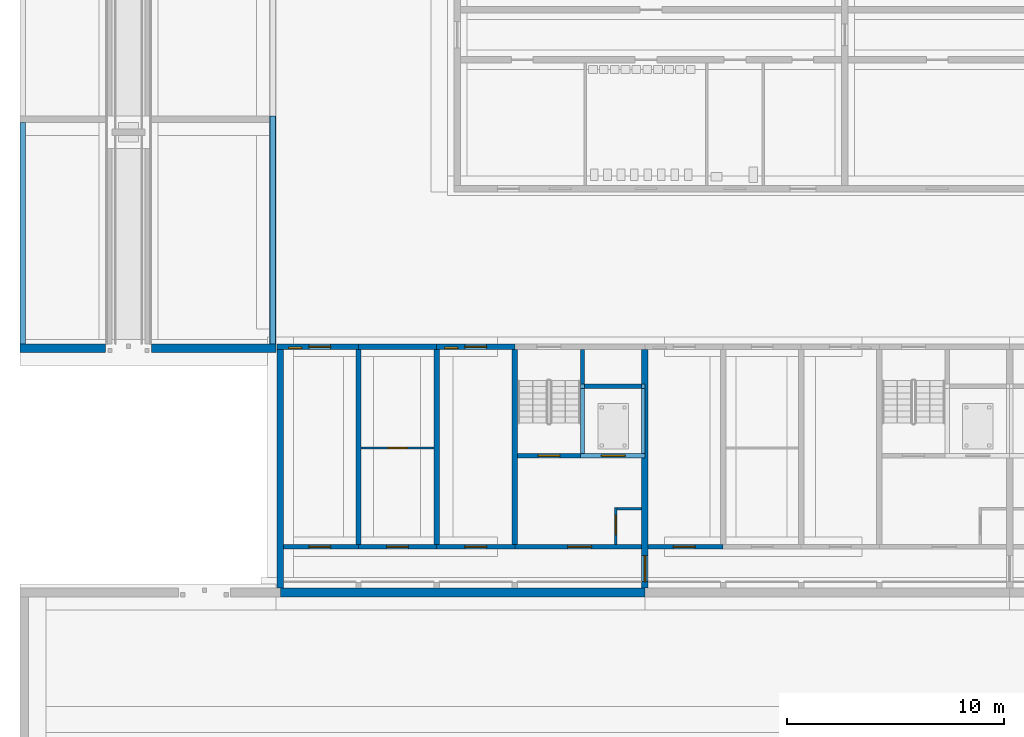
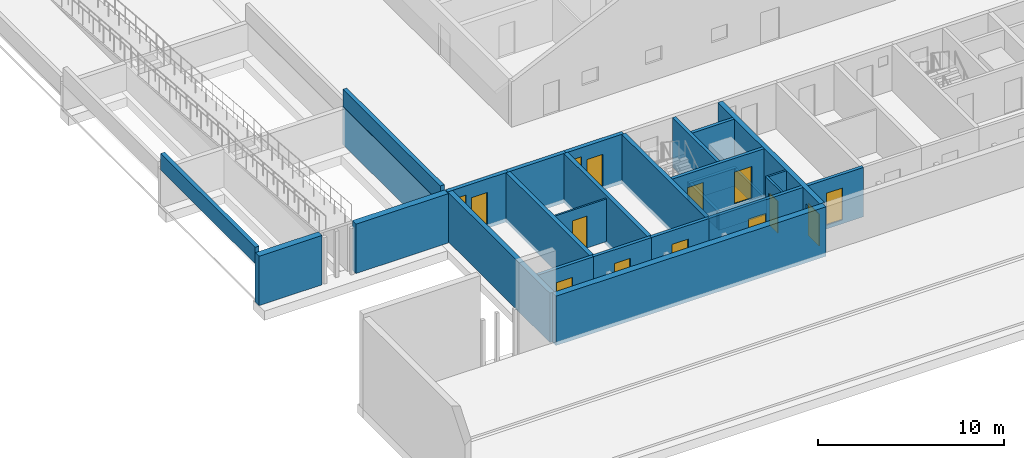
# One storey, part 37 of 112: 29 walls, 12 doors, 2 windows, 14 openings.
"""IFC4 building model written with IfcOpenShell, lengths in metres."""

from ifc_helpers import new_model, si_unit, direction, frame, frame_2d, origin, place, context, subcontext, project, spatial, rectangle, extrude, material, layer, layer_set, type_object, element, fill, save


model = new_model("IFC4")

# Units and contexts
model_context = context("Model", 3, precision=1e-05, world=origin(), true_north=direction((0.0, 1.0)))
body_context = subcontext(model_context, "Body", "Model", "MODEL_VIEW")
ifc_project = project(units=[si_unit("LENGTHUNIT", "METRE"), si_unit("AREAUNIT", "SQUARE_METRE"), si_unit("VOLUMEUNIT", "CUBIC_METRE"), si_unit("PLANEANGLEUNIT", "RADIAN"), si_unit("MASSUNIT", "GRAM", prefix="KILO")], contexts=[model_context])

# Site, building, storey
site_placement = place(None, origin())
site = spatial("IfcSite", under=ifc_project, at=site_placement, CompositionType="ELEMENT")
building_placement = place(site_placement, origin())
building = spatial("IfcBuilding", under=site, at=building_placement, Name="Ridgestep Commons", CompositionType="ELEMENT")
storey_placement = place(building_placement, origin())
storey = spatial("IfcBuildingStorey", under=building, at=storey_placement, Name="L00", CompositionType="ELEMENT", Elevation=0.0)

# Walls
ifc_material_1 = material(Name="Concrete C30/37", Category="concrete")
ifc_layer_1 = layer(ifc_material_1, 0.300048828125)
ifc_layer_set_1 = layer_set([ifc_layer_1], Name="Community retaining wall 300")
wall_type_1 = type_object("IfcWallType", Name="Community retaining wall 300", PredefinedType="SOLIDWALL", material=ifc_layer_set_1)
wall_1_placement = place(storey_placement, frame((11.64990234375, 23.0, -0.25), z_axis=(0.0, 0.0, 1.0), x_axis=(0.0, 1.0, 0.0)))
element("IfcWall", 1, at=wall_1_placement, inside=storey, type_object=wall_type_1, Name="Bank retaining wall", PredefinedType="SOLIDWALL", context=body_context, shape_type="SweptSolid", body=[
    extrude(rectangle(XDim=10.5, YDim=0.300048828125, at=frame_2d((5.25, 0.0))), origin(), (0.0, 0.0, 1.0), 2.5),
])
ifc_material_2 = material(Name="Concrete C30/37", Category="concrete")
ifc_layer_2 = layer(ifc_material_2, 0.39990234375)
ifc_layer_set_2 = layer_set([ifc_layer_2], Name="Community retaining wall 400")
wall_type_2 = type_object("IfcWallType", Name="Community retaining wall 400", PredefinedType="SOLIDWALL", material=ifc_layer_set_2)
wall_2_placement = place(storey_placement, frame((0.010009765625, 22.800048828125, -0.25), z_axis=(0.0, 0.0, 1.0), x_axis=(1.0, 0.0, 0.0)))
element("IfcWall", 2, at=wall_2_placement, inside=storey, type_object=wall_type_2, Name="Community retaining wall 400", PredefinedType="SOLIDWALL", context=body_context, shape_type="SweptSolid", body=[
    extrude(rectangle(XDim=3.93994140625, YDim=0.39990234375, at=frame_2d((1.969970703125, 0.0))), origin(), (0.0, 0.0, 1.0), 3.25),
])
wall_3_placement = place(storey_placement, frame((6.050048828125, 22.800048828125, -0.25), z_axis=(0.0, 0.0, 1.0), x_axis=(1.0, 0.0, 0.0)))
element("IfcWall", 3, at=wall_3_placement, inside=storey, type_object=wall_type_2, Name="Community retaining wall 400", PredefinedType="SOLIDWALL", context=body_context, shape_type="SweptSolid", body=[
    extrude(rectangle(XDim=5.75, YDim=0.39990234375, at=frame_2d((2.875, 0.0))), origin(), (0.0, 0.0, 1.0), 3.25),
])
ifc_material_3 = material(Name="Precast concrete C40/50", Category="concrete")
ifc_layer_3 = layer(ifc_material_3, 0.25)
ifc_layer_set_3 = layer_set([ifc_layer_3], Name="Community terrace parapet 250")
wall_type_3 = type_object("IfcWallType", Name="Community terrace parapet 250", PredefinedType="PARAPET", material=ifc_layer_set_3)
wall_4_placement = place(storey_placement, frame((11.64990234375, 23.0, 2.25), z_axis=(0.0, 0.0, 1.0), x_axis=(0.0, 1.0, 0.0)))
element("IfcWall", 4, at=wall_4_placement, inside=storey, type_object=wall_type_3, Name="Terrace parapet", PredefinedType="PARAPET", context=body_context, shape_type="SweptSolid", body=[
    extrude(rectangle(XDim=10.5, YDim=0.25, at=frame_2d((5.25, 0.0))), origin(), (0.0, 0.0, 1.0), 1.10009765625),
])
wall_5_placement = place(storey_placement, frame((0.135009765625, 23.0, 2.25), z_axis=(0.0, 0.0, 1.0), x_axis=(0.0, 1.0, 0.0)))
element("IfcWall", 5, at=wall_5_placement, inside=storey, type_object=wall_type_3, Name="Terrace parapet", PredefinedType="PARAPET", context=body_context, shape_type="SweptSolid", body=[
    extrude(rectangle(XDim=10.199951171875, YDim=0.25, at=frame_2d((5.10009765625, 0.0))), origin(), (0.0, 0.0, 1.0), 1.10009765625),
])
ifc_material_4 = material(Name="Concrete C30/37", Category="concrete")
ifc_layer_4 = layer(ifc_material_4, 0.25)
ifc_layer_set_4 = layer_set([ifc_layer_4], Name="Core cross wall 250")
wall_type_4 = type_object("IfcWallType", Name="Core cross wall 250", PredefinedType="SHEAR", material=ifc_layer_set_4)
wall_6_placement = place(storey_placement, frame((22.800048828125, 13.75, -0.25), z_axis=(0.0, 0.0, 1.0), x_axis=(0.0, 1.0, 0.0)))
element("IfcWall", 6, at=wall_6_placement, inside=storey, type_object=wall_type_4, Name="Cross wall A-00-0228", PredefinedType="SHEAR", context=body_context, shape_type="SweptSolid", body=[
    extrude(rectangle(XDim=9.0, YDim=0.25, at=frame_2d((4.5, 0.0))), origin(), (0.0, 0.0, 1.0), 3.25),
])

# Wall, opening, door
ifc_material_5 = material(Name="Concrete C30/37", Category="concrete")
ifc_layer_5 = layer(ifc_material_5, 0.199951171875)
ifc_layer_set_5 = layer_set([ifc_layer_5], Name="Core south wall 200")
wall_type_5 = type_object("IfcWallType", Name="Core south wall 200", PredefinedType="SHEAR", material=ifc_layer_set_5)
wall_7_placement = place(storey_placement, frame((22.800048828125, 13.64990234375, -0.25), z_axis=(0.0, 0.0, 1.0), x_axis=(1.0, 0.0, 0.0)))
wall_7 = element("IfcWall", 7, at=wall_7_placement, inside=storey, type_object=wall_type_5, Name="Core south wall A1C L00", PredefinedType="SHEAR", context=body_context, shape_type="SweptSolid", body=[
    extrude(rectangle(XDim=5.849853515625, YDim=0.199951171875, at=frame_2d((2.9248046875, 0.0))), origin(), (0.0, 0.0, 1.0), 3.25),
])
opening_1_placement = place(wall_7_placement, frame((2.4375, 0.0, 0.25)))
opening_1 = element("IfcOpeningElement", 8, at=opening_1_placement, cuts=wall_7, Name="Opening A1C/00/1", PredefinedType="OPENING", context=body_context, shape_type="SweptSolid", body=[
    extrude(rectangle(XDim=1.10009765625, YDim=2.10009765625, at=frame_2d((0.550048828125, 1.050048828125))), frame((0.0, 0.10986328125, 0.0), z_axis=(0.0, -1.0, 0.0), x_axis=(1.0, 0.0, 0.0)), (0.0, 0.0, 1.0), 0.219970703125),
])
ifc_material_6 = material(Name="Steel fire door", Category="steel")
door_type_1 = type_object("IfcDoorType", Name="Lobby door 1100 x 2100 FD60", OperationType="NOTDEFINED", PredefinedType="DOOR", material=ifc_material_6)
door_1_placement = place(opening_1_placement, origin())
door_1 = element("IfcDoor", 9, at=door_1_placement, inside=storey, type_object=door_type_1, Name="Lobby door A1C/00/1", OperationType="SINGLE_SWING_LEFT", OverallHeight=2.10009765625, OverallWidth=1.10009765625, PredefinedType="DOOR", context=body_context, shape_type="SweptSolid", body=[
    extrude(rectangle(XDim=1.10009765625, YDim=2.10009765625, at=frame_2d((0.550048828125, 1.050048828125))), frame((0.0, 0.02490234375, 0.0), z_axis=(0.0, -1.0, 0.0), x_axis=(1.0, 0.0, 0.0)), (0.0, 0.0, 1.0), 0.050048828125),
])
fill(opening_1, door_1)

ifc_material_7 = material(Name="Concrete C30/37", Category="concrete")
ifc_layer_6 = layer(ifc_material_7, 0.1201171875)
ifc_layer_set_6 = layer_set([ifc_layer_6], Name="Core wall 120")
wall_type_6 = type_object("IfcWallType", Name="Core wall 120", PredefinedType="SHEAR", material=ifc_layer_set_6)
wall_8_placement = place(storey_placement, frame((27.4599609375, 13.75, -0.25), z_axis=(0.0, 0.0, 1.0), x_axis=(0.0, 1.0, 0.0)))
wall_8 = element("IfcWall", 10, at=wall_8_placement, inside=storey, type_object=wall_type_6, Name="Core riser w wall A1C L00", PredefinedType="SHEAR", context=body_context, shape_type="SweptSolid", body=[
    extrude(rectangle(XDim=1.719970703125, YDim=0.1201171875, at=frame_2d((0.85986328125, 0.0))), origin(), (0.0, 0.0, 1.0), 3.25),
])
opening_2_placement = place(wall_8_placement, frame((0.449951171875, 0.0, 0.25)))
opening_2 = element("IfcOpeningElement", 11, at=opening_2_placement, cuts=wall_8, Name="Opening A1C/00/4", PredefinedType="OPENING", context=body_context, shape_type="SweptSolid", body=[
    extrude(rectangle(XDim=0.89990234375, YDim=2.10009765625, at=frame_2d((0.449951171875, 1.050048828125))), frame((0.0, 0.070068359375, 0.0), z_axis=(0.0, -1.0, 0.0), x_axis=(1.0, 0.0, 0.0)), (0.0, 0.0, 1.0), 0.14013671875),
])
ifc_material_8 = material(Name="Steel fire door", Category="steel")
door_type_2 = type_object("IfcDoorType", Name="Riser door 900 x 2100 FD60", OperationType="NOTDEFINED", PredefinedType="DOOR", material=ifc_material_8)
door_2_placement = place(opening_2_placement, origin())
door_2 = element("IfcDoor", 12, at=door_2_placement, inside=storey, type_object=door_type_2, Name="Riser door A1C/00/4", OperationType="SINGLE_SWING_LEFT", OverallHeight=2.10009765625, OverallWidth=0.89990234375, PredefinedType="DOOR", context=body_context, shape_type="SweptSolid", body=[
    extrude(rectangle(XDim=0.89990234375, YDim=2.10009765625, at=frame_2d((0.449951171875, 1.050048828125))), frame((0.0, 0.02490234375, 0.0), z_axis=(0.0, -1.0, 0.0), x_axis=(1.0, 0.0, 0.0)), (0.0, 0.0, 1.0), 0.050048828125),
])
fill(opening_2, door_2)

# Walls
wall_9_placement = place(storey_placement, frame((27.52001953125, 15.409912109375, -0.25), z_axis=(0.0, 0.0, 1.0), x_axis=(1.0, 0.0, 0.0)))
element("IfcWall", 13, at=wall_9_placement, inside=storey, type_object=wall_type_6, Name="Core riser n wall A1C L00", PredefinedType="SHEAR", context=body_context, shape_type="SweptSolid", body=[
    extrude(rectangle(XDim=1.1298828125, YDim=0.1201171875, at=frame_2d((0.56494140625, 0.0))), origin(), (0.0, 0.0, 1.0), 3.25),
])
ifc_material_9 = material(Name="Concrete C30/37", Category="concrete")
ifc_layer_7 = layer(ifc_material_9, 0.14990234375)
ifc_layer_set_7 = layer_set([ifc_layer_7], Name="Core wall 150")
wall_type_7 = type_object("IfcWallType", Name="Core wall 150", PredefinedType="SHEAR", material=ifc_layer_set_7)
wall_10_placement = place(storey_placement, frame((28.72509765625, 17.949951171875, -1.39990234375), z_axis=(0.0, 0.0, 1.0), x_axis=(0.0, 1.0, 0.0)))
element("IfcWall", 14, at=wall_10_placement, inside=storey, type_object=wall_type_7, Name="Lift pit wall A1C", PredefinedType="SHEAR", context=body_context, shape_type="SweptSolid", body=[
    extrude(rectangle(XDim=3.0, YDim=0.14990234375, at=frame_2d((1.5, 0.0))), origin(), (0.0, 0.0, 1.0), 1.14990234375),
])

# Wall, openings, doors
ifc_material_10 = material(Name="Concrete C30/37", Category="concrete")
ifc_layer_8 = layer(ifc_material_10, 0.199951171875)
ifc_layer_set_8 = layer_set([ifc_layer_8], Name="Core wall 200")
wall_type_8 = type_object("IfcWallType", Name="Core wall 200", PredefinedType="SHEAR", material=ifc_layer_set_8)
wall_11_placement = place(storey_placement, frame((22.925048828125, 17.85009765625, -0.25), z_axis=(0.0, 0.0, 1.0), x_axis=(1.0, 0.0, 0.0)))
wall_11 = element("IfcWall", 15, at=wall_11_placement, inside=storey, type_object=wall_type_8, Name="Core lobby wall A1C L00", PredefinedType="SHEAR", context=body_context, shape_type="SweptSolid", body=[
    extrude(rectangle(XDim=5.724853515625, YDim=0.199951171875, at=frame_2d((2.8623046875, 0.0))), origin(), (0.0, 0.0, 1.0), 3.25),
])
opening_3_placement = place(wall_11_placement, frame((0.949951171875, 0.0, 0.25)))
opening_3 = element("IfcOpeningElement", 16, at=opening_3_placement, cuts=wall_11, Name="Opening A1C/00/2", PredefinedType="OPENING", context=body_context, shape_type="SweptSolid", body=[
    extrude(rectangle(XDim=1.0, YDim=2.10009765625, at=frame_2d((0.5, 1.050048828125))), frame((0.0, 0.10986328125, 0.0), z_axis=(0.0, -1.0, 0.0), x_axis=(1.0, 0.0, 0.0)), (0.0, 0.0, 1.0), 0.219970703125),
])
opening_4_placement = place(wall_11_placement, frame((3.862548828125, 0.0, 0.25)))
opening_4 = element("IfcOpeningElement", 17, at=opening_4_placement, cuts=wall_11, Name="Opening A1C/00/3", PredefinedType="OPENING", context=body_context, shape_type="SweptSolid", body=[
    extrude(rectangle(XDim=1.10009765625, YDim=2.10009765625, at=frame_2d((0.550048828125, 1.050048828125))), frame((0.0, 0.10986328125, 0.0), z_axis=(0.0, -1.0, 0.0), x_axis=(1.0, 0.0, 0.0)), (0.0, 0.0, 1.0), 0.219970703125),
])
ifc_material_11 = material(Name="Stainless steel", Category="steel")
door_type_3 = type_object("IfcDoorType", Name="Lift landing door 1100 x 2100 FD60", OperationType="DOUBLE_DOOR_SLIDING", PredefinedType="DOOR", material=ifc_material_11)
door_3_placement = place(opening_4_placement, origin())
door_3 = element("IfcDoor", 18, at=door_3_placement, inside=storey, type_object=door_type_3, Name="Landing door LD A1C L00", OperationType="DOUBLE_DOOR_SLIDING", OverallHeight=2.10009765625, OverallWidth=1.10009765625, PredefinedType="DOOR", context=body_context, shape_type="SweptSolid", body=[
    extrude(rectangle(XDim=1.10009765625, YDim=2.10009765625, at=frame_2d((0.550048828125, 1.050048828125))), frame((0.0, 0.02490234375, 0.0), z_axis=(0.0, -1.0, 0.0), x_axis=(1.0, 0.0, 0.0)), (0.0, 0.0, 1.0), 0.050048828125),
])
fill(opening_4, door_3)
ifc_material_12 = material(Name="Steel fire door", Category="steel")
door_type_4 = type_object("IfcDoorType", Name="Stair door 1000 x 2100 FD60", OperationType="NOTDEFINED", PredefinedType="DOOR", material=ifc_material_12)
door_4_placement = place(opening_3_placement, origin())
door_4 = element("IfcDoor", 19, at=door_4_placement, inside=storey, type_object=door_type_4, Name="Stair door A1C/00/2", OperationType="SINGLE_SWING_RIGHT", OverallHeight=2.10009765625, OverallWidth=1.0, PredefinedType="DOOR", context=body_context, shape_type="SweptSolid", body=[
    extrude(rectangle(XDim=1.0, YDim=2.10009765625, at=frame_2d((0.5, 1.050048828125))), frame((0.0, 0.02490234375, 0.0), z_axis=(0.0, -1.0, 0.0), x_axis=(1.0, 0.0, 0.0)), (0.0, 0.0, 1.0), 0.050048828125),
])
fill(opening_3, door_4)

# Walls
wall_12_placement = place(storey_placement, frame((25.925048828125, 17.949951171875, -0.25), z_axis=(0.0, 0.0, 1.0), x_axis=(0.0, 1.0, 0.0)))
element("IfcWall", 20, at=wall_12_placement, inside=storey, type_object=wall_type_8, Name="Core stair wall A1C L00", PredefinedType="SHEAR", context=body_context, shape_type="SweptSolid", body=[
    extrude(rectangle(XDim=4.800048828125, YDim=0.199951171875, at=frame_2d((2.39990234375, 0.0))), origin(), (0.0, 0.0, 1.0), 3.25),
])
wall_13_placement = place(storey_placement, frame((26.02490234375, 21.050048828125, -0.25), z_axis=(0.0, 0.0, 1.0), x_axis=(1.0, 0.0, 0.0)))
element("IfcWall", 21, at=wall_13_placement, inside=storey, type_object=wall_type_8, Name="Core duct wall A1C L00", PredefinedType="SHEAR", context=body_context, shape_type="SweptSolid", body=[
    extrude(rectangle(XDim=2.625, YDim=0.199951171875, at=frame_2d((1.3125, 0.0))), origin(), (0.0, 0.0, 1.0), 3.25),
])
for number, where, z_axis, x_axis, name in (
    (22, (25.824951171875, 17.85009765625, -1.39990234375), (0.0, 0.0, 1.0), (1.0, 0.0, 0.0), "Lift pit wall A1C"),
    (23, (25.824951171875, 21.050048828125, -1.39990234375), (0.0, 0.0, 1.0), (1.0, 0.0, 0.0), "Lift pit wall A1C"),
):
    element("IfcWall", number, at=place(storey_placement, frame(where, z_axis=z_axis, x_axis=x_axis)), inside=storey, type_object=wall_type_8, Name=name, PredefinedType="SHEAR", context=body_context, shape_type="SweptSolid", body=[
        extrude(rectangle(XDim=2.97509765625, YDim=0.199951171875, at=frame_2d((1.487548828125, 0.0))), origin(), (0.0, 0.0, 1.0), 1.14990234375),
    ])
wall_14_placement = place(storey_placement, frame((25.925048828125, 17.949951171875, -1.39990234375), z_axis=(0.0, 0.0, 1.0), x_axis=(0.0, 1.0, 0.0)))
element("IfcWall", 24, at=wall_14_placement, inside=storey, type_object=wall_type_8, Name="Lift pit wall A1C", PredefinedType="SHEAR", context=body_context, shape_type="SweptSolid", body=[
    extrude(rectangle(XDim=3.0, YDim=0.199951171875, at=frame_2d((1.5, 0.0))), origin(), (0.0, 0.0, 1.0), 1.14990234375),
])
ifc_material_13 = material(Name="Precast concrete C40/50", Category="concrete")
ifc_layer_9 = layer(ifc_material_13, 0.25)
ifc_layer_set_9 = layer_set([ifc_layer_9], Name="Cross wall 250")
wall_type_9 = type_object("IfcWallType", Name="Cross wall 250", PredefinedType="SHEAR", material=ifc_layer_set_9)
for number, where, z_axis, x_axis, name in (
    (25, (15.60009765625, 13.75, -0.25), (0.0, 0.0, 1.0), (0.0, 1.0, 0.0), "Cross wall A-00-0156"),
    (26, (19.199951171875, 13.75, -0.25), (0.0, 0.0, 1.0), (0.0, 1.0, 0.0), "Cross wall A-00-0192"),
):
    element("IfcWall", number, at=place(storey_placement, frame(where, z_axis=z_axis, x_axis=x_axis)), inside=storey, type_object=wall_type_9, Name=name, PredefinedType="SHEAR", context=body_context, shape_type="SweptSolid", body=[
        extrude(rectangle(XDim=9.0, YDim=0.25, at=frame_2d((4.5, 0.0))), origin(), (0.0, 0.0, 1.0), 3.25),
    ])

# Wall, opening, door
ifc_material_14 = material(Name="Precast concrete C40/50", Category="concrete")
ifc_layer_10 = layer(ifc_material_14, 0.300048828125)
ifc_layer_set_10 = layer_set([ifc_layer_10], Name="Division wall 300")
wall_type_10 = type_object("IfcWallType", Name="Division wall 300", PredefinedType="SHEAR", material=ifc_layer_set_10)
wall_15_placement = place(storey_placement, frame((28.800048828125, 11.75, -0.25), z_axis=(0.0, 0.0, 1.0), x_axis=(0.0, 1.0, 0.0)))
wall_15 = element("IfcWall", 27, at=wall_15_placement, inside=storey, type_object=wall_type_10, Name="Cross wall A-00-0288", PredefinedType="SHEAR", context=body_context, shape_type="SweptSolid", body=[
    extrude(rectangle(XDim=11.0, YDim=0.300048828125, at=frame_2d((5.5, 0.0))), origin(), (0.0, 0.0, 1.0), 3.25),
])
opening_5_placement = place(wall_15_placement, frame((0.300048828125, 0.0, 0.25)))
opening_5 = element("IfcOpeningElement", 28, at=opening_5_placement, cuts=wall_15, Name="Opening A/00/G0288", PredefinedType="OPENING", context=body_context, shape_type="SweptSolid", body=[
    extrude(rectangle(XDim=1.199951171875, YDim=2.10009765625, at=frame_2d((0.60009765625, 1.050048828125))), frame((0.0, 0.159912109375, 0.0), z_axis=(0.0, -1.0, 0.0), x_axis=(1.0, 0.0, 0.0)), (0.0, 0.0, 1.0), 0.320068359375),
])
ifc_material_15 = material(Name="Steel fire door", Category="steel")
door_type_5 = type_object("IfcDoorType", Name="Division fire door 1200 x 2100 EI 240", OperationType="DOUBLE_DOOR_SINGLE_SWING", PredefinedType="DOOR", material=ifc_material_15)
door_5_placement = place(opening_5_placement, origin())
door_5 = element("IfcDoor", 29, at=door_5_placement, inside=storey, type_object=door_type_5, Name="Division fire door A/00/G0288", OperationType="DOUBLE_DOOR_SINGLE_SWING", OverallHeight=2.10009765625, OverallWidth=1.199951171875, PredefinedType="DOOR", context=body_context, shape_type="SweptSolid", body=[
    extrude(rectangle(XDim=1.199951171875, YDim=2.10009765625, at=frame_2d((0.60009765625, 1.050048828125))), frame((0.0, 0.02490234375, 0.0), z_axis=(0.0, -1.0, 0.0), x_axis=(1.0, 0.0, 0.0)), (0.0, 0.0, 1.0), 0.050048828125),
])
fill(opening_5, door_5)

# Wall
ifc_material_16 = material(Name="Precast concrete C40/50", Category="concrete")
ifc_layer_11 = layer(ifc_material_16, 0.300048828125)
ifc_layer_set_11 = layer_set([ifc_layer_11], Name="Exposed division wall 300")
wall_type_11 = type_object("IfcWallType", Name="Exposed division wall 300", PredefinedType="SHEAR", material=ifc_layer_set_11)
wall_16_placement = place(storey_placement, frame((12.0, 11.75, -0.25), z_axis=(0.0, 0.0, 1.0), x_axis=(0.0, 1.0, 0.0)))
element("IfcWall", 30, at=wall_16_placement, inside=storey, type_object=wall_type_11, Name="Cross wall A-00-0120", PredefinedType="SHEAR", context=body_context, shape_type="SweptSolid", body=[
    extrude(rectangle(XDim=11.0, YDim=0.300048828125, at=frame_2d((5.5, 0.0))), origin(), (0.0, 0.0, 1.0), 3.25),
])

# Wall, openings, door, window
ifc_material_17 = material(Name="Precast concrete C40/50", Category="concrete")
ifc_layer_12 = layer(ifc_material_17, 0.25)
ifc_layer_set_12 = layer_set([ifc_layer_12], Name="North facade panel 250")
wall_type_12 = type_object("IfcWallType", Name="North facade panel 250", PredefinedType="SOLIDWALL", material=ifc_layer_set_12)
wall_17_placement = place(storey_placement, frame((11.85009765625, 22.875, -0.25), z_axis=(0.0, 0.0, 1.0), x_axis=(1.0, 0.0, 0.0)))
wall_17 = element("IfcWall", 31, at=wall_17_placement, inside=storey, type_object=wall_type_12, Name="North panel A1T1 L00", PredefinedType="SOLIDWALL", context=body_context, shape_type="SweptSolid", body=[
    extrude(rectangle(XDim=3.75, YDim=0.25, at=frame_2d((1.875, 0.0))), origin(), (0.0, 0.0, 1.0), 3.25),
])
opening_6_placement = place(wall_17_placement, frame((0.53125, 0.0, 2.050048828125)))
opening_6 = element("IfcOpeningElement", 32, at=opening_6_placement, cuts=wall_17, Name="Opening W01", PredefinedType="OPENING", context=body_context, shape_type="SweptSolid", body=[
    extrude(rectangle(XDim=0.60009765625, YDim=0.60009765625, at=frame_2d((0.300048828125, 0.300048828125))), frame((0.0, 0.135009765625, 0.0), z_axis=(0.0, -1.0, 0.0), x_axis=(1.0, 0.0, 0.0)), (0.0, 0.0, 1.0), 0.27001953125),
])
opening_7_placement = place(wall_17_placement, frame((1.46240234375, 0.0, 0.25)))
opening_7 = element("IfcOpeningElement", 33, at=opening_7_placement, cuts=wall_17, Name="Opening A1-00p/2", PredefinedType="OPENING", context=body_context, shape_type="SweptSolid", body=[
    extrude(rectangle(XDim=1.0, YDim=2.10009765625, at=frame_2d((0.5, 1.050048828125))), frame((0.0, 0.135009765625, 0.0), z_axis=(0.0, -1.0, 0.0), x_axis=(1.0, 0.0, 0.0)), (0.0, 0.0, 1.0), 0.27001953125),
])
ifc_material_18 = material(Name="Steel door leaf", Category="steel")
door_type_6 = type_object("IfcDoorType", Name="Exterior door 1000 x 2100", OperationType="NOTDEFINED", PredefinedType="DOOR", material=ifc_material_18)
door_6_placement = place(opening_7_placement, origin())
door_6 = element("IfcDoor", 34, at=door_6_placement, inside=storey, type_object=door_type_6, Name="Exterior door A1-00p/2", OperationType="SINGLE_SWING_LEFT", OverallHeight=2.10009765625, OverallWidth=1.0, PredefinedType="DOOR", context=body_context, shape_type="SweptSolid", body=[
    extrude(rectangle(XDim=1.0, YDim=2.10009765625, at=frame_2d((0.5, 1.050048828125))), frame((0.0, 0.02490234375, 0.0), z_axis=(0.0, -1.0, 0.0), x_axis=(1.0, 0.0, 0.0)), (0.0, 0.0, 1.0), 0.050048828125),
])
fill(opening_7, door_6)
ifc_material_19 = material(Name="Aluminium 6063-T6 and glass", Category="aluminium")
window_type = type_object("IfcWindowType", Name="Flat window 600 x 600", PartitioningType="SINGLE_PANEL", PredefinedType="WINDOW", material=ifc_material_19)
window_1_placement = place(opening_6_placement, origin())
window_1 = element("IfcWindow", 35, at=window_1_placement, inside=storey, type_object=window_type, Name="Window A1-00p 2", OverallHeight=0.60009765625, OverallWidth=0.60009765625, PartitioningType="SINGLE_PANEL", PredefinedType="WINDOW", context=body_context, shape_type="SweptSolid", body=[
    extrude(rectangle(XDim=0.60009765625, YDim=0.60009765625, at=frame_2d((0.300048828125, 0.300048828125))), frame((0.0, -0.02490234375, 0.0), z_axis=(0.0, -1.0, 0.0), x_axis=(1.0, 0.0, 0.0)), (0.0, 0.0, 1.0), 0.06005859375),
])
fill(opening_6, window_1)

# Wall
wall_18_placement = place(storey_placement, frame((15.60009765625, 22.875, -0.25), z_axis=(0.0, 0.0, 1.0), x_axis=(1.0, 0.0, 0.0)))
element("IfcWall", 36, at=wall_18_placement, inside=storey, type_object=wall_type_12, Name="North panel A1T2 L00", PredefinedType="SOLIDWALL", context=body_context, shape_type="SweptSolid", body=[
    extrude(rectangle(XDim=3.599853515625, YDim=0.25, at=frame_2d((1.7998046875, 0.0))), origin(), (0.0, 0.0, 1.0), 3.25),
])

# Wall, openings, door, window
wall_19_placement = place(storey_placement, frame((19.199951171875, 22.875, -0.25), z_axis=(0.0, 0.0, 1.0), x_axis=(1.0, 0.0, 0.0)))
wall_19 = element("IfcWall", 37, at=wall_19_placement, inside=storey, type_object=wall_type_12, Name="North panel A1T3 L00", PredefinedType="SOLIDWALL", context=body_context, shape_type="SweptSolid", body=[
    extrude(rectangle(XDim=3.60009765625, YDim=0.25, at=frame_2d((1.800048828125, 0.0))), origin(), (0.0, 0.0, 1.0), 3.25),
])
opening_8_placement = place(wall_19_placement, frame((0.362548828125, 0.0, 2.050048828125)))
opening_8 = element("IfcOpeningElement", 38, at=opening_8_placement, cuts=wall_19, Name="Opening W01", PredefinedType="OPENING", context=body_context, shape_type="SweptSolid", body=[
    extrude(rectangle(XDim=0.60009765625, YDim=0.60009765625, at=frame_2d((0.300048828125, 0.300048828125))), frame((0.0, 0.135009765625, 0.0), z_axis=(0.0, -1.0, 0.0), x_axis=(1.0, 0.0, 0.0)), (0.0, 0.0, 1.0), 0.27001953125),
])
opening_9_placement = place(wall_19_placement, frame((1.300048828125, 0.0, 0.25)))
opening_9 = element("IfcOpeningElement", 39, at=opening_9_placement, cuts=wall_19, Name="Opening A1-00p/6", PredefinedType="OPENING", context=body_context, shape_type="SweptSolid", body=[
    extrude(rectangle(XDim=1.0, YDim=2.10009765625, at=frame_2d((0.5, 1.050048828125))), frame((0.0, 0.135009765625, 0.0), z_axis=(0.0, -1.0, 0.0), x_axis=(1.0, 0.0, 0.0)), (0.0, 0.0, 1.0), 0.27001953125),
])
door_7_placement = place(opening_9_placement, origin())
door_7 = element("IfcDoor", 40, at=door_7_placement, inside=storey, type_object=door_type_6, Name="Exterior door A1-00p/6", OperationType="SINGLE_SWING_LEFT", OverallHeight=2.10009765625, OverallWidth=1.0, PredefinedType="DOOR", context=body_context, shape_type="SweptSolid", body=[
    extrude(rectangle(XDim=1.0, YDim=2.10009765625, at=frame_2d((0.5, 1.050048828125))), frame((0.0, 0.02490234375, 0.0), z_axis=(0.0, -1.0, 0.0), x_axis=(1.0, 0.0, 0.0)), (0.0, 0.0, 1.0), 0.050048828125),
])
fill(opening_9, door_7)
window_2_placement = place(opening_8_placement, origin())
window_2 = element("IfcWindow", 41, at=window_2_placement, inside=storey, type_object=window_type, Name="Window A1-00p 4", OverallHeight=0.60009765625, OverallWidth=0.60009765625, PartitioningType="SINGLE_PANEL", PredefinedType="WINDOW", context=body_context, shape_type="SweptSolid", body=[
    extrude(rectangle(XDim=0.60009765625, YDim=0.60009765625, at=frame_2d((0.300048828125, 0.300048828125))), frame((0.0, -0.02490234375, 0.0), z_axis=(0.0, -1.0, 0.0), x_axis=(1.0, 0.0, 0.0)), (0.0, 0.0, 1.0), 0.06005859375),
])
fill(opening_8, window_2)

# Wall, opening, door
ifc_material_20 = material(Name="Common brick 110 mm", Category="masonry")
ifc_layer_13 = layer(ifc_material_20, 0.110107421875)
ifc_layer_set_13 = layer_set([ifc_layer_13], Name="Partition 110")
wall_type_13 = type_object("IfcWallType", Name="Partition 110", PredefinedType="PARTITIONING", material=ifc_layer_set_13)
wall_20_placement = place(storey_placement, frame((15.72509765625, 18.205078125, 0.0), z_axis=(0.0, 0.0, 1.0), x_axis=(1.0, 0.0, 0.0)))
wall_20 = element("IfcWall", 42, at=wall_20_placement, inside=storey, type_object=wall_type_13, Name="Partition A1-00p", PredefinedType="PARTITIONING", context=body_context, shape_type="SweptSolid", body=[
    extrude(rectangle(XDim=3.349853515625, YDim=0.110107421875, at=frame_2d((1.6748046875, 0.0))), origin(), (0.0, 0.0, 1.0), 2.800048828125),
])
opening_10_placement = place(wall_20_placement, frame((1.22509765625, 0.0, 0.0)))
opening_10 = element("IfcOpeningElement", 43, at=opening_10_placement, cuts=wall_20, Name="Opening A1-00p/4", PredefinedType="OPENING", context=body_context, shape_type="SweptSolid", body=[
    extrude(rectangle(XDim=0.89990234375, YDim=2.10009765625, at=frame_2d((0.449951171875, 1.050048828125))), frame((0.0, 0.06494140625, 0.0), z_axis=(0.0, -1.0, 0.0), x_axis=(1.0, 0.0, 0.0)), (0.0, 0.0, 1.0), 0.130126953125),
])
ifc_material_21 = material(Name="Timber door leaf", Category="wood")
door_type_7 = type_object("IfcDoorType", Name="Internal door 900 x 2100 FD60", OperationType="NOTDEFINED", PredefinedType="DOOR", material=ifc_material_21)
door_8_placement = place(opening_10_placement, origin())
door_8 = element("IfcDoor", 44, at=door_8_placement, inside=storey, type_object=door_type_7, Name="Internal door A1-00p/4", OperationType="SINGLE_SWING_LEFT", OverallHeight=2.10009765625, OverallWidth=0.89990234375, PredefinedType="DOOR", context=body_context, shape_type="SweptSolid", body=[
    extrude(rectangle(XDim=0.89990234375, YDim=2.10009765625, at=frame_2d((0.449951171875, 1.050048828125))), frame((0.0, 0.02490234375, 0.0), z_axis=(0.0, -1.0, 0.0), x_axis=(1.0, 0.0, 0.0)), (0.0, 0.0, 1.0), 0.050048828125),
])
fill(opening_10, door_8)

# Wall
ifc_material_22 = material(Name="Concrete C30/37", Category="concrete")
ifc_layer_14 = layer(ifc_material_22, 0.39990234375)
ifc_layer_set_14 = layer_set([ifc_layer_14], Name="Plinth retaining wall 400")
wall_type_14 = type_object("IfcWallType", Name="Plinth retaining wall 400", PredefinedType="SOLIDWALL", material=ifc_layer_set_14)
wall_21_placement = place(storey_placement, frame((12.0, 11.550048828125, -0.25), z_axis=(0.0, 0.0, 1.0), x_axis=(1.0, 0.0, 0.0)))
element("IfcWall", 45, at=wall_21_placement, inside=storey, type_object=wall_type_14, Name="Plinth retaining wall A1 L00", PredefinedType="SOLIDWALL", context=body_context, shape_type="SweptSolid", body=[
    extrude(rectangle(XDim=16.800048828125, YDim=0.39990234375, at=frame_2d((8.39990234375, 0.0))), origin(), (0.0, 0.0, 1.0), 3.25),
])

# Wall, opening, door
ifc_material_23 = material(Name="Precast concrete C40/50", Category="concrete")
ifc_layer_15 = layer(ifc_material_23, 0.199951171875)
ifc_layer_set_15 = layer_set([ifc_layer_15], Name="South facade panel 200")
wall_type_15 = type_object("IfcWallType", Name="South facade panel 200", PredefinedType="SOLIDWALL", material=ifc_layer_set_15)
wall_22_placement = place(storey_placement, frame((12.14990234375, 13.64990234375, -0.25), z_axis=(0.0, 0.0, 1.0), x_axis=(1.0, 0.0, 0.0)))
wall_22 = element("IfcWall", 46, at=wall_22_placement, inside=storey, type_object=wall_type_15, Name="South panel A1T1 L00", PredefinedType="SOLIDWALL", context=body_context, shape_type="SweptSolid", body=[
    extrude(rectangle(XDim=3.4501953125, YDim=0.199951171875, at=frame_2d((1.72509765625, 0.0))), origin(), (0.0, 0.0, 1.0), 3.25),
])
opening_11_placement = place(wall_22_placement, frame((1.16259765625, 0.0, 0.25)))
opening_11 = element("IfcOpeningElement", 47, at=opening_11_placement, cuts=wall_22, Name="Opening A1-00p/1", PredefinedType="OPENING", context=body_context, shape_type="SweptSolid", body=[
    extrude(rectangle(XDim=1.0, YDim=2.10009765625, at=frame_2d((0.5, 1.050048828125))), frame((0.0, 0.10986328125, 0.0), z_axis=(0.0, -1.0, 0.0), x_axis=(1.0, 0.0, 0.0)), (0.0, 0.0, 1.0), 0.219970703125),
])
ifc_material_24 = material(Name="Steel door leaf", Category="steel")
door_type_8 = type_object("IfcDoorType", Name="Store door 1000 x 2100", OperationType="NOTDEFINED", PredefinedType="DOOR", material=ifc_material_24)
door_9_placement = place(opening_11_placement, origin())
door_9 = element("IfcDoor", 48, at=door_9_placement, inside=storey, type_object=door_type_8, Name="Store door A1-00p/1", OperationType="SINGLE_SWING_RIGHT", OverallHeight=2.10009765625, OverallWidth=1.0, PredefinedType="DOOR", context=body_context, shape_type="SweptSolid", body=[
    extrude(rectangle(XDim=1.0, YDim=2.10009765625, at=frame_2d((0.5, 1.050048828125))), frame((0.0, 0.02490234375, 0.0), z_axis=(0.0, -1.0, 0.0), x_axis=(1.0, 0.0, 0.0)), (0.0, 0.0, 1.0), 0.050048828125),
])
fill(opening_11, door_9)

wall_23_placement = place(storey_placement, frame((15.60009765625, 13.64990234375, -0.25), z_axis=(0.0, 0.0, 1.0), x_axis=(1.0, 0.0, 0.0)))
wall_23 = element("IfcWall", 49, at=wall_23_placement, inside=storey, type_object=wall_type_15, Name="South panel A1T2 L00", PredefinedType="SOLIDWALL", context=body_context, shape_type="SweptSolid", body=[
    extrude(rectangle(XDim=3.599853515625, YDim=0.199951171875, at=frame_2d((1.7998046875, 0.0))), origin(), (0.0, 0.0, 1.0), 3.25),
])
opening_12_placement = place(wall_23_placement, frame((1.300048828125, 0.0, 0.25)))
opening_12 = element("IfcOpeningElement", 50, at=opening_12_placement, cuts=wall_23, Name="Opening A1-00p/3", PredefinedType="OPENING", context=body_context, shape_type="SweptSolid", body=[
    extrude(rectangle(XDim=1.0, YDim=2.10009765625, at=frame_2d((0.5, 1.050048828125))), frame((0.0, 0.10986328125, 0.0), z_axis=(0.0, -1.0, 0.0), x_axis=(1.0, 0.0, 0.0)), (0.0, 0.0, 1.0), 0.219970703125),
])
door_10_placement = place(opening_12_placement, origin())
door_10 = element("IfcDoor", 51, at=door_10_placement, inside=storey, type_object=door_type_8, Name="Store door A1-00p/3", OperationType="SINGLE_SWING_RIGHT", OverallHeight=2.10009765625, OverallWidth=1.0, PredefinedType="DOOR", context=body_context, shape_type="SweptSolid", body=[
    extrude(rectangle(XDim=1.0, YDim=2.10009765625, at=frame_2d((0.5, 1.050048828125))), frame((0.0, 0.02490234375, 0.0), z_axis=(0.0, -1.0, 0.0), x_axis=(1.0, 0.0, 0.0)), (0.0, 0.0, 1.0), 0.050048828125),
])
fill(opening_12, door_10)

wall_24_placement = place(storey_placement, frame((19.199951171875, 13.64990234375, -0.25), z_axis=(0.0, 0.0, 1.0), x_axis=(1.0, 0.0, 0.0)))
wall_24 = element("IfcWall", 52, at=wall_24_placement, inside=storey, type_object=wall_type_15, Name="South panel A1T3 L00", PredefinedType="SOLIDWALL", context=body_context, shape_type="SweptSolid", body=[
    extrude(rectangle(XDim=3.60009765625, YDim=0.199951171875, at=frame_2d((1.800048828125, 0.0))), origin(), (0.0, 0.0, 1.0), 3.25),
])
opening_13_placement = place(wall_24_placement, frame((1.300048828125, 0.0, 0.25)))
opening_13 = element("IfcOpeningElement", 53, at=opening_13_placement, cuts=wall_24, Name="Opening A1-00p/5", PredefinedType="OPENING", context=body_context, shape_type="SweptSolid", body=[
    extrude(rectangle(XDim=1.0, YDim=2.10009765625, at=frame_2d((0.5, 1.050048828125))), frame((0.0, 0.10986328125, 0.0), z_axis=(0.0, -1.0, 0.0), x_axis=(1.0, 0.0, 0.0)), (0.0, 0.0, 1.0), 0.219970703125),
])
door_11_placement = place(opening_13_placement, origin())
door_11 = element("IfcDoor", 54, at=door_11_placement, inside=storey, type_object=door_type_8, Name="Store door A1-00p/5", OperationType="SINGLE_SWING_RIGHT", OverallHeight=2.10009765625, OverallWidth=1.0, PredefinedType="DOOR", context=body_context, shape_type="SweptSolid", body=[
    extrude(rectangle(XDim=1.0, YDim=2.10009765625, at=frame_2d((0.5, 1.050048828125))), frame((0.0, 0.02490234375, 0.0), z_axis=(0.0, -1.0, 0.0), x_axis=(1.0, 0.0, 0.0)), (0.0, 0.0, 1.0), 0.050048828125),
])
fill(opening_13, door_11)

wall_25_placement = place(storey_placement, frame((28.949951171875, 13.64990234375, -0.25), z_axis=(0.0, 0.0, 1.0), x_axis=(1.0, 0.0, 0.0)))
wall_25 = element("IfcWall", 55, at=wall_25_placement, inside=storey, type_object=wall_type_15, Name="South panel A2T1 L00", PredefinedType="SOLIDWALL", context=body_context, shape_type="SweptSolid", body=[
    extrude(rectangle(XDim=3.449951171875, YDim=0.199951171875, at=frame_2d((1.72509765625, 0.0))), origin(), (0.0, 0.0, 1.0), 3.25),
])
opening_14_placement = place(wall_25_placement, frame((1.16259765625, 0.0, 0.25)))
opening_14 = element("IfcOpeningElement", 56, at=opening_14_placement, cuts=wall_25, Name="Opening A2-00p/1", PredefinedType="OPENING", context=body_context, shape_type="SweptSolid", body=[
    extrude(rectangle(XDim=1.0, YDim=2.10009765625, at=frame_2d((0.5, 1.050048828125))), frame((0.0, 0.10986328125, 0.0), z_axis=(0.0, -1.0, 0.0), x_axis=(1.0, 0.0, 0.0)), (0.0, 0.0, 1.0), 0.219970703125),
])
door_12_placement = place(opening_14_placement, origin())
door_12 = element("IfcDoor", 57, at=door_12_placement, inside=storey, type_object=door_type_8, Name="Store door A2-00p/1", OperationType="SINGLE_SWING_RIGHT", OverallHeight=2.10009765625, OverallWidth=1.0, PredefinedType="DOOR", context=body_context, shape_type="SweptSolid", body=[
    extrude(rectangle(XDim=1.0, YDim=2.10009765625, at=frame_2d((0.5, 1.050048828125))), frame((0.0, 0.02490234375, 0.0), z_axis=(0.0, -1.0, 0.0), x_axis=(1.0, 0.0, 0.0)), (0.0, 0.0, 1.0), 0.050048828125),
])
fill(opening_14, door_12)

save(model, "model.ifc")
